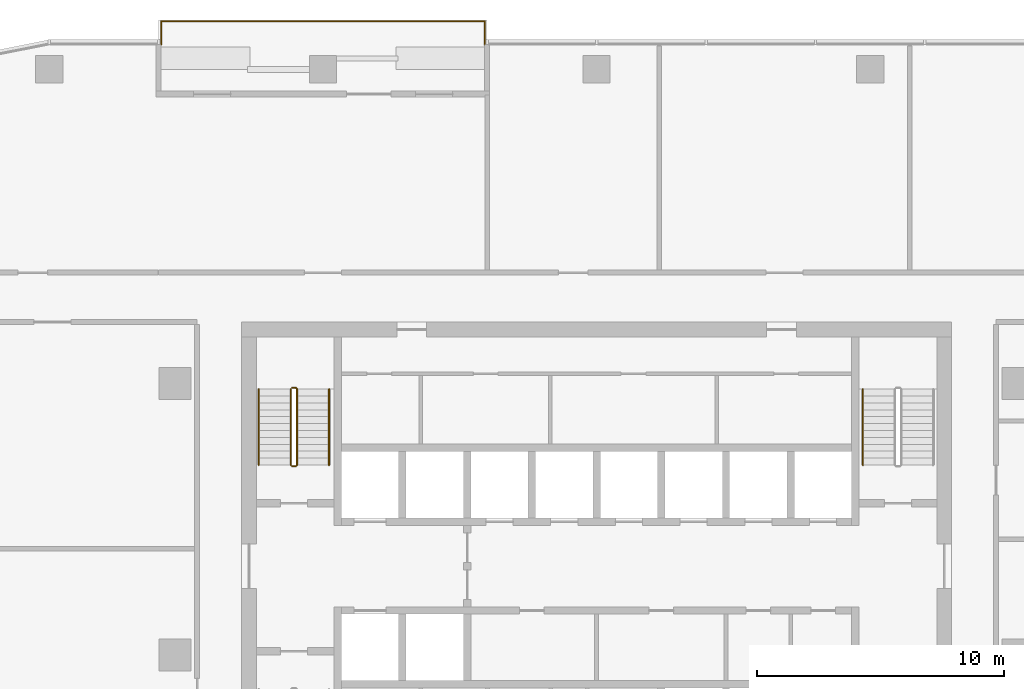
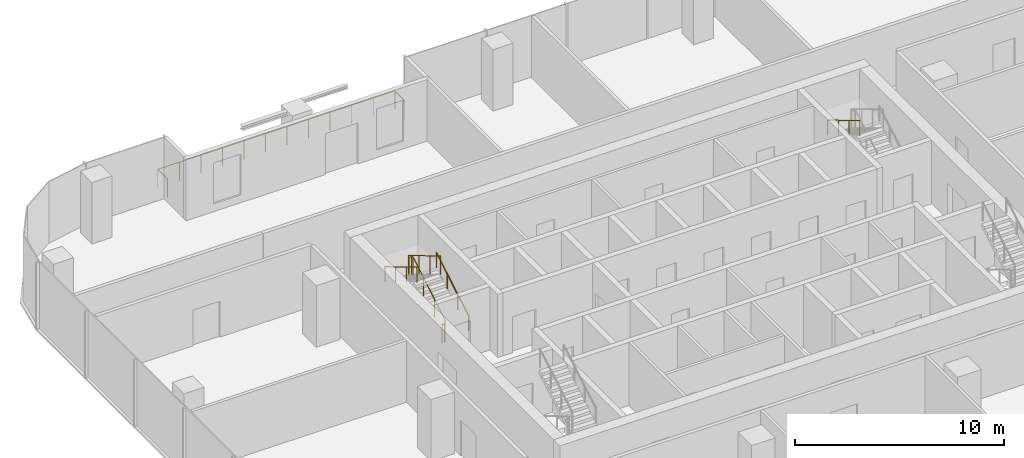
# One storey, part 13 of 14: 7 railings.
"""IFC4 building model written with IfcOpenShell, lengths in metres."""

from ifc_helpers import new_model, si_unit, direction, frame, origin, origin_2d, place, context, subcontext, project, spatial, circle, extrude, material, type_object, element, save


model = new_model("IFC4")

# Units and contexts
model_context = context("Model", 3, precision=1e-05, world=origin(), true_north=direction((0.0, 1.0)))
body_context = subcontext(model_context, "Body", "Model", "MODEL_VIEW")
ifc_project = project(units=[si_unit("LENGTHUNIT", "METRE"), si_unit("AREAUNIT", "SQUARE_METRE"), si_unit("VOLUMEUNIT", "CUBIC_METRE"), si_unit("PLANEANGLEUNIT", "RADIAN"), si_unit("MASSUNIT", "GRAM", prefix="KILO")], contexts=[model_context])

# Site, building, storey
site_placement = place(None, origin())
site = spatial("IfcSite", under=ifc_project, at=site_placement, CompositionType="ELEMENT")
building_placement = place(site_placement, origin())
building = spatial("IfcBuilding", under=site, at=building_placement, Name="Mopane Tessera Tower", CompositionType="ELEMENT")
storey_placement = place(building_placement, frame((0.0, 0.0, 219.0)))
storey = spatial("IfcBuildingStorey", under=building, at=storey_placement, Name="L46", CompositionType="ELEMENT", Elevation=219.0)

# Railings
ifc_material_1 = material(Name="Powder-coated steel balustrade", Category="steel")
railing_type_1 = type_object("IfcRailingType", Name="Escape stair guard 1100 mm", PredefinedType="GUARDRAIL", material=ifc_material_1)
railing_1_placement = place(storey_placement, frame((-12.14990234375, 7.699951171875, 0.166748046875)))
element("IfcRailing", 1, at=railing_1_placement, inside=storey, type_object=railing_type_1, Name="L46 ST2 stair guard 1", PredefinedType="GUARDRAIL", context=body_context, shape_type="SweptSolid", body=[
    extrude(circle(Radius=0.02392578125, at=origin_2d()), frame((0.0, 0.0, 1.076171875), z_axis=(0.0, 0.859308565015, 0.511457515432), x_axis=(-1.0, 0.0, 0.0)), (0.0, 0.0, 1.0), 3.58447265625),
    extrude(circle(Radius=0.02392578125, at=origin_2d()), frame((0.0, 3.080078125, 2.9091796875), z_axis=(-0.707106781187, 0.707106781187, 0.0), x_axis=(-0.707106781187, -0.707106781187, 0.0)), (0.0, 0.0, 1.0), 0.07080078125),
    extrude(circle(Radius=0.02392578125, at=origin_2d()), frame((-0.050048828125, 3.130126953125, 2.9091796875), z_axis=(-1.0, 0.0, 0.0), x_axis=(0.0, -1.0, 0.0)), (0.0, 0.0, 1.0), 0.150146484375),
    extrude(circle(Radius=0.02099609375, at=origin_2d()), origin(), (0.0, 0.0, 1.0), 1.052001953125),
    extrude(circle(Radius=0.02099609375, at=origin_2d()), frame((0.0, 1.026611328125, 0.611083984375)), (0.0, 0.0, 1.0), 1.052001953125),
    extrude(circle(Radius=0.02099609375, at=origin_2d()), frame((0.0, 2.053466796875, 1.22216796875)), (0.0, 0.0, 1.0), 1.052001953125),
    extrude(circle(Radius=0.02099609375, at=origin_2d()), frame((0.0, 3.080078125, 1.833251953125)), (0.0, 0.0, 1.0), 1.052001953125),
    extrude(circle(Radius=0.02099609375, at=origin_2d()), frame((-0.050048828125, 3.130126953125, 1.833251953125)), (0.0, 0.0, 1.0), 1.052001953125),
    extrude(circle(Radius=0.02099609375, at=origin_2d()), frame((-0.2001953125, 3.130126953125, 1.833251953125)), (0.0, 0.0, 1.0), 1.052001953125),
])
railing_2_placement = place(storey_placement, frame((-12.39990234375, 10.780029296875, 2.166748046875)))
element("IfcRailing", 2, at=railing_2_placement, inside=storey, type_object=railing_type_1, Name="L46 ST2 stair guard 2", PredefinedType="GUARDRAIL", context=body_context, shape_type="SweptSolid", body=[
    extrude(circle(Radius=0.02392578125, at=origin_2d()), frame((0.0, 0.0, 1.076171875), z_axis=(0.0, -0.859308565015, 0.511457515432), x_axis=(1.0, 0.0, 0.0)), (0.0, 0.0, 1.0), 3.58447265625),
    extrude(circle(Radius=0.02099609375, at=origin_2d()), origin(), (0.0, 0.0, 1.0), 1.052001953125),
    extrude(circle(Radius=0.02099609375, at=origin_2d()), frame((0.0, -1.026611328125, 0.611083984375)), (0.0, 0.0, 1.0), 1.052001953125),
    extrude(circle(Radius=0.02099609375, at=origin_2d()), frame((0.0, -2.053466796875, 1.22216796875)), (0.0, 0.0, 1.0), 1.052001953125),
    extrude(circle(Radius=0.02099609375, at=origin_2d()), frame((0.0, -3.080078125, 1.833251953125)), (0.0, 0.0, 1.0), 1.052001953125),
])
railing_3_placement = place(storey_placement, frame((-12.199951171875, 7.64990234375, 0.0)))
element("IfcRailing", 3, at=railing_3_placement, inside=storey, type_object=railing_type_1, Name="L46 ST2 stair guard 3", PredefinedType="GUARDRAIL", context=body_context, shape_type="SweptSolid", body=[
    extrude(circle(Radius=0.02392578125, at=origin_2d()), frame((0.0, 0.0, 1.076171875), z_axis=(-1.0, 0.0, 0.0), x_axis=(0.0, -1.0, 0.0)), (0.0, 0.0, 1.0), 0.150146484375),
    extrude(circle(Radius=0.02099609375, at=origin_2d()), origin(), (0.0, 0.0, 1.0), 1.052001953125),
    extrude(circle(Radius=0.02099609375, at=origin_2d()), frame((-0.150146484375, 0.0, 0.0)), (0.0, 0.0, 1.0), 1.052001953125),
])
ifc_material_2 = material(Name="Powder-coated steel balustrade", Category="steel")
railing_type_2 = type_object("IfcRailingType", Name="Escape stair handrail 900 mm", PredefinedType="HANDRAIL", material=ifc_material_2)
railing_4_placement = place(storey_placement, frame((-10.85009765625, 7.699951171875, 0.166748046875)))
element("IfcRailing", 4, at=railing_4_placement, inside=storey, type_object=railing_type_2, Name="L46 ST2 stair handrail 1", PredefinedType="HANDRAIL", context=body_context, shape_type="SweptSolid", body=[
    extrude(circle(Radius=0.02392578125, at=origin_2d()), frame((0.0, 0.0, 0.8759765625), z_axis=(0.0, 0.859308565015, 0.511457515432), x_axis=(-1.0, 0.0, 0.0)), (0.0, 0.0, 1.0), 3.58447265625),
    extrude(circle(Radius=0.02099609375, at=origin_2d()), origin(), (0.0, 0.0, 1.0), 0.851806640625),
    extrude(circle(Radius=0.02099609375, at=origin_2d()), frame((0.0, 1.026611328125, 0.611083984375)), (0.0, 0.0, 1.0), 0.851806640625),
    extrude(circle(Radius=0.02099609375, at=origin_2d()), frame((0.0, 2.053466796875, 1.22216796875)), (0.0, 0.0, 1.0), 0.851806640625),
    extrude(circle(Radius=0.02099609375, at=origin_2d()), frame((0.0, 3.080078125, 1.833251953125)), (0.0, 0.0, 1.0), 0.851806640625),
])
for number, where, name in (
    (5, (-13.699951171875, 10.780029296875, 2.166748046875), "L46 ST2 stair handrail 2"),
    (6, (10.800048828125, 10.780029296875, 2.166748046875), "L46 ST4 stair handrail 2"),
):
    element("IfcRailing", number, at=place(storey_placement, frame(where)), inside=storey, type_object=railing_type_2, Name=name, PredefinedType="HANDRAIL", context=body_context, shape_type="SweptSolid", body=[
        extrude(circle(Radius=0.02392578125, at=origin_2d()), frame((0.0, 0.0, 0.8759765625), z_axis=(0.0, -0.859308565015, 0.511457515432), x_axis=(1.0, 0.0, 0.0)), (0.0, 0.0, 1.0), 3.58447265625),
        extrude(circle(Radius=0.02099609375, at=origin_2d()), origin(), (0.0, 0.0, 1.0), 0.851806640625),
        extrude(circle(Radius=0.02099609375, at=origin_2d()), frame((0.0, -1.026611328125, 0.611083984375)), (0.0, 0.0, 1.0), 0.851806640625),
        extrude(circle(Radius=0.02099609375, at=origin_2d()), frame((0.0, -2.053466796875, 1.22216796875)), (0.0, 0.0, 1.0), 0.851806640625),
        extrude(circle(Radius=0.02099609375, at=origin_2d()), frame((0.0, -3.080078125, 1.833251953125)), (0.0, 0.0, 1.0), 0.851806640625),
    ])
ifc_material_3 = material(Name="Stainless steel S316", Category="steel")
railing_type_3 = type_object("IfcRailingType", Name="Terrace guard 1100", PredefinedType="GUARDRAIL", material=ifc_material_3)
railing_5_placement = place(storey_placement, frame((-4.5400390625, 24.75, 0.0)))
element("IfcRailing", 7, at=railing_5_placement, inside=storey, type_object=railing_type_3, Name="e:nw:L46:N3:guard", PredefinedType="GUARDRAIL", context=body_context, shape_type="SweptSolid", body=[
    extrude(circle(Radius=0.02392578125, at=origin_2d()), frame((0.0, 0.0, 1.076171875), z_axis=(0.0, 1.0, 0.0), x_axis=(-1.0, 0.0, 0.0)), (0.0, 0.0, 1.0), 0.949951171875),
    extrude(circle(Radius=0.02392578125, at=origin_2d()), frame((0.0, 0.949951171875, 1.076171875), z_axis=(-1.0, 0.0, 0.0), x_axis=(0.0, -1.0, 0.0)), (0.0, 0.0, 1.0), 13.119873046875),
    extrude(circle(Radius=0.02392578125, at=origin_2d()), frame((-13.119873046875, 0.949951171875, 1.076171875), z_axis=(0.0, -1.0, 0.0), x_axis=(1.0, 0.0, 0.0)), (0.0, 0.0, 1.0), 0.949951171875),
    extrude(circle(Radius=0.02099609375, at=origin_2d()), origin(), (0.0, 0.0, 1.0), 1.052001953125),
    extrude(circle(Radius=0.02099609375, at=origin_2d()), frame((0.0, 0.949951171875, 0.0)), (0.0, 0.0, 1.0), 1.052001953125),
    extrude(circle(Radius=0.02099609375, at=origin_2d()), frame((-1.192626953125, 0.949951171875, 0.0)), (0.0, 0.0, 1.0), 1.052001953125),
    extrude(circle(Radius=0.02099609375, at=origin_2d()), frame((-2.385498046875, 0.949951171875, 0.0)), (0.0, 0.0, 1.0), 1.052001953125),
    extrude(circle(Radius=0.02099609375, at=origin_2d()), frame((-3.578125, 0.949951171875, 0.0)), (0.0, 0.0, 1.0), 1.052001953125),
    extrude(circle(Radius=0.02099609375, at=origin_2d()), frame((-4.770751953125, 0.949951171875, 0.0)), (0.0, 0.0, 1.0), 1.052001953125),
    extrude(circle(Radius=0.02099609375, at=origin_2d()), frame((-5.963623046875, 0.949951171875, 0.0)), (0.0, 0.0, 1.0), 1.052001953125),
    extrude(circle(Radius=0.02099609375, at=origin_2d()), frame((-7.15625, 0.949951171875, 0.0)), (0.0, 0.0, 1.0), 1.052001953125),
    extrude(circle(Radius=0.02099609375, at=origin_2d()), frame((-8.34912109375, 0.949951171875, 0.0)), (0.0, 0.0, 1.0), 1.052001953125),
    extrude(circle(Radius=0.02099609375, at=origin_2d()), frame((-9.541748046875, 0.949951171875, 0.0)), (0.0, 0.0, 1.0), 1.052001953125),
    extrude(circle(Radius=0.02099609375, at=origin_2d()), frame((-10.734375, 0.949951171875, 0.0)), (0.0, 0.0, 1.0), 1.052001953125),
    extrude(circle(Radius=0.02099609375, at=origin_2d()), frame((-11.92724609375, 0.949951171875, 0.0)), (0.0, 0.0, 1.0), 1.052001953125),
    extrude(circle(Radius=0.02099609375, at=origin_2d()), frame((-13.119873046875, 0.949951171875, 0.0)), (0.0, 0.0, 1.0), 1.052001953125),
    extrude(circle(Radius=0.02099609375, at=origin_2d()), frame((-13.119873046875, 0.0, 0.0)), (0.0, 0.0, 1.0), 1.052001953125),
])

save(model, "model.ifc")
